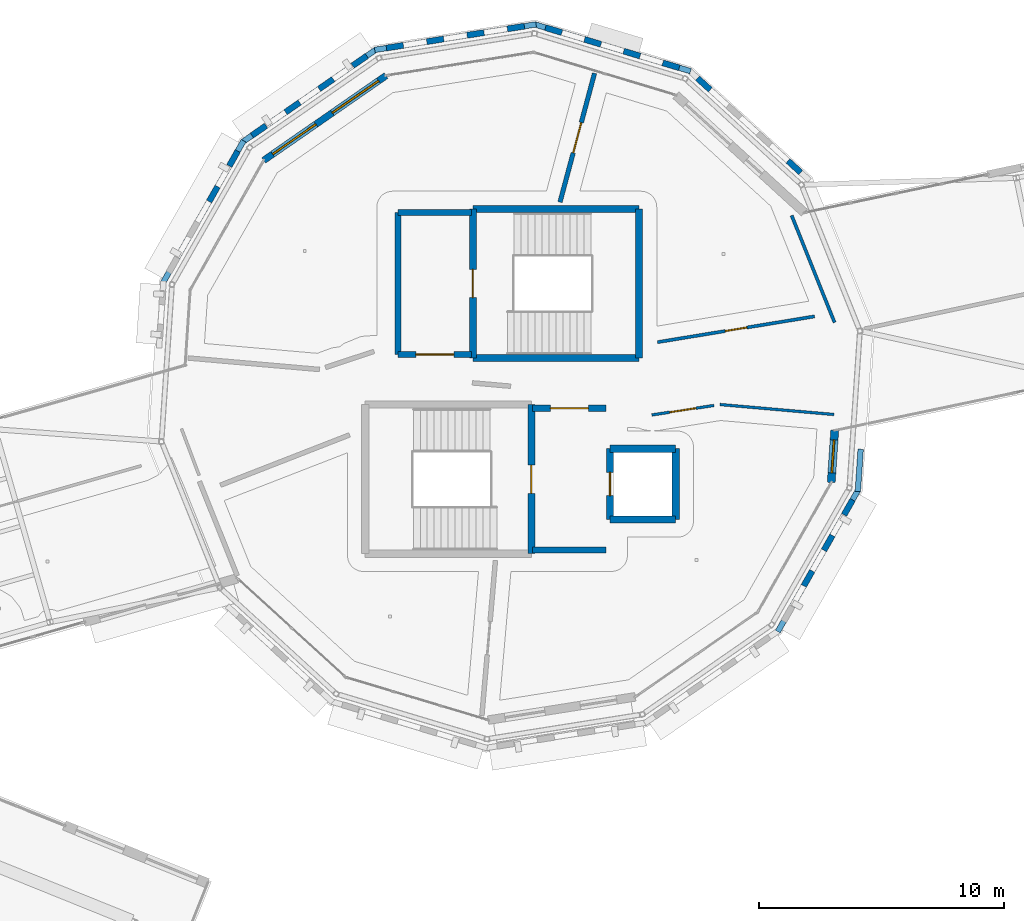
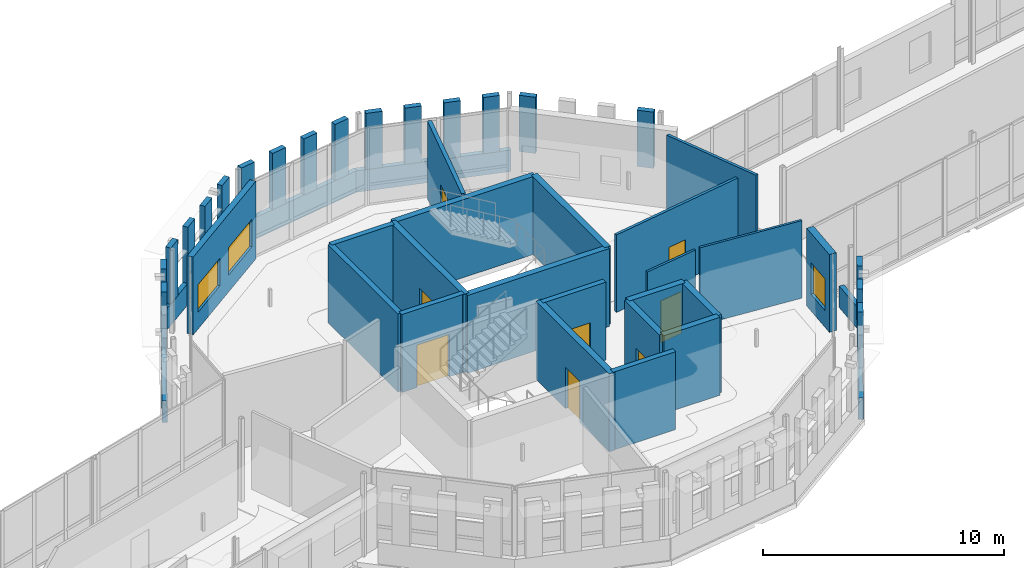
# One storey, part 96 of 125: 46 walls, 8 doors, 3 windows, 11 openings.
"""IFC4 building model written with IfcOpenShell, lengths in metres."""

import ifcopenshell
import ifcopenshell.guid

model = None  # the IFC model being written
_history = None  # IfcOwnerHistory: only IFC2X3 demands one
_inside = {}  # id of a spatial element -> (the spatial element, [elements in it])
_under = {}  # id of a project, library or spatial element -> (it, [spatial elements below it])
_declared = {}  # id of a project -> (the project, [libraries it declares])
_typed = {}  # id of a type object -> (the type object, [elements of that type])
_made_of = {}  # id of a material, layer set ... -> (it, [elements and type objects made of it])


def new_model(schema):
    """Start an empty IFC model of exactly this schema.

    Asked for "IFC4X3", IfcOpenShell would pick the latest addendum, in which some entities
    have other attributes; the version numbers below select the first issue.
    IFC2X3 requires an IfcOwnerHistory on every rooted entity: one is made here for all.
    """
    global model, _history
    if schema == "IFC4X3":
        model = ifcopenshell.file(schema_version=(4, 3, 0, 0))
    else:
        model = ifcopenshell.file(schema=schema)
    _inside.clear()
    _under.clear()
    _declared.clear()
    _typed.clear()
    _made_of.clear()
    _history = None
    if model.schema == "IFC2X3":
        org = make("IfcOrganization", Name="unknown")
        user = make(
            "IfcPersonAndOrganization",
            ThePerson=make("IfcPerson", FamilyName="unknown"),
            TheOrganization=org,
        )
        app = make(
            "IfcApplication",
            ApplicationDeveloper=org,
            Version="unknown",
            ApplicationFullName="unknown",
            ApplicationIdentifier="unknown",
        )
        _history = make(
            "IfcOwnerHistory",
            OwningUser=user,
            OwningApplication=app,
            ChangeAction="ADDED",
            CreationDate=0,
        )
    return model


def make(cls, **values):
    """One entity of the class cls with the attributes given. An attribute that is None is left unset."""
    return model.create_entity(
        cls, **{name: value for name, value in values.items() if value is not None}
    )


def rooted(cls, **values):
    """An entity with a GlobalId (a new one), such as an element, a storey or a relation."""
    return make(cls, GlobalId=ifcopenshell.guid.new(), OwnerHistory=_history, **values)


def si_unit(unit_type, name, prefix=None):
    """IfcSIUnit, for example si_unit("LENGTHUNIT", "METRE", prefix="MILLI")."""
    return make("IfcSIUnit", UnitType=unit_type, Prefix=prefix, Name=name)


def assignment(units):
    """IfcUnitAssignment: the units of a project."""
    return None if units is None else make("IfcUnitAssignment", Units=units)


def point(xyz):
    """IfcCartesianPoint."""
    return None if xyz is None else make("IfcCartesianPoint", Coordinates=xyz)


def direction(xyz):
    """IfcDirection."""
    return None if xyz is None else make("IfcDirection", DirectionRatios=xyz)


def frame(location, z_axis=None, x_axis=None):
    """IfcAxis2Placement3D, a coordinate frame: its origin and axes. An axis left out is left unset."""
    return make(
        "IfcAxis2Placement3D",
        Location=point(location),
        Axis=direction(z_axis),
        RefDirection=direction(x_axis),
    )


def frame_2d(location, x_axis=None):
    """IfcAxis2Placement2D, a coordinate frame in the plane: its origin and x axis."""
    return make(
        "IfcAxis2Placement2D", Location=point(location), RefDirection=direction(x_axis)
    )


def origin():
    """The frame at (0, 0, 0) with its axes left unset."""
    return frame((0.0, 0.0, 0.0))


def place(relative_to, where):
    """IfcLocalPlacement: puts the frame where relative to a parent placement (None: the world)."""
    return make(
        "IfcLocalPlacement", PlacementRelTo=relative_to, RelativePlacement=where
    )


def context(
    kind, dimensions, precision=None, world=None, true_north=None, identifier=None
):
    """IfcGeometricRepresentationContext, for example the 3D "Model" context."""
    return make(
        "IfcGeometricRepresentationContext",
        ContextIdentifier=identifier,
        ContextType=kind,
        CoordinateSpaceDimension=dimensions,
        Precision=precision,
        WorldCoordinateSystem=world,
        TrueNorth=true_north,
    )


def subcontext(parent, identifier, kind, view, scale=None):
    """IfcGeometricRepresentationSubContext, for example "Body" below "Model"."""
    return make(
        "IfcGeometricRepresentationSubContext",
        ContextIdentifier=identifier,
        ContextType=kind,
        ParentContext=parent,
        TargetScale=scale,
        TargetView=view,
    )


def project(units=None, contexts=None):
    """IfcProject with its units and contexts."""
    return rooted(
        "IfcProject",
        Name="project",
        RepresentationContexts=contexts,
        UnitsInContext=assignment(units),
    )


def spatial(cls, under=None, at=None, **own):
    """A site, building, storey or space (cls), placed at a placement, below another one or the project."""
    s = rooted(cls, ObjectPlacement=at, **own)
    if under is not None:
        _under.setdefault(under.id(), (under, []))[1].append(s)
    return s


def profile(cls, at=None, kind="AREA", **sizes):
    """A parametric profile (cls). Its sizes go by their IFC names, for example OverallWidth=200.0."""
    return make(cls, ProfileType=kind, Position=at, **sizes)


def rectangle(**sizes):
    """IfcRectangleProfileDef."""
    return profile("IfcRectangleProfileDef", **sizes)


def extrude(swept, where, along, depth):
    """IfcExtrudedAreaSolid: the profile swept, set in the frame where, extruded along a direction by depth."""
    return make(
        "IfcExtrudedAreaSolid",
        SweptArea=swept,
        Position=where,
        ExtrudedDirection=direction(along),
        Depth=depth,
    )


def shape(context_of_items, identifier, shape_type, items):
    """IfcShapeRepresentation: the items that make up one representation, for example the "Body"."""
    return make(
        "IfcShapeRepresentation",
        ContextOfItems=context_of_items,
        RepresentationIdentifier=identifier,
        RepresentationType=shape_type,
        Items=items,
    )


def material(Name=None, Category=None):
    """IfcMaterial."""
    return make("IfcMaterial", Name=Name, Category=Category)


def layer(
    of_material, thickness, ventilated=None, Name=None, Category=None, Priority=None
):
    """IfcMaterialLayer: one layer of a wall or slab, of a material (None: an air gap)."""
    return make(
        "IfcMaterialLayer",
        Material=of_material,
        LayerThickness=thickness,
        IsVentilated=ventilated,
        Name=Name,
        Category=Category,
        Priority=Priority,
    )


def layer_set(layers, Name=None):
    """IfcMaterialLayerSet."""
    return make("IfcMaterialLayerSet", MaterialLayers=layers, LayerSetName=Name)


def made_of(thing, what):
    """Note that an element or type object is made of a material, layer set ...; save() writes the relation."""
    if what is not None:
        _made_of.setdefault(what.id(), (what, []))[1].append(thing)
    return thing


def type_object(cls, material=None, **own):
    """A type object (cls), such as IfcWallType, which elements share."""
    return made_of(rooted(cls, **own), material)


def element(
    cls,
    number,
    at=None,
    inside=None,
    cuts=None,
    type_object=None,
    material=None,
    context=None,
    identifier="Body",
    shape_type=None,
    held_by="IfcProductDefinitionShape",
    body=None,
    shapes=None,
    **own,
):
    """One element of the class cls, such as IfcWall. Its Tag is "e" and its number.

    at: its placement. inside: the storey or other place that contains it. cuts: it is an
    opening in that element (IfcRelVoidsElement). A single representation is given by context,
    identifier, shape_type and body (its items); several are given by shapes. held_by: the class
    of the entity that holds the representations. save() writes the other relations.
    """
    e = rooted(cls, Tag="e%d" % number, ObjectPlacement=at, **own)
    if body is not None:
        shapes = [shape(context, identifier, shape_type, body)]
    if shapes is not None:
        e.Representation = make(held_by, Representations=shapes)
    if inside is not None:
        _inside.setdefault(inside.id(), (inside, []))[1].append(e)
    if cuts is not None:
        rooted(
            "IfcRelVoidsElement", RelatingBuildingElement=cuts, RelatedOpeningElement=e
        )
    if type_object is not None:
        _typed.setdefault(type_object.id(), (type_object, []))[1].append(e)
    return made_of(e, material)


def fill(opening, filler):
    """IfcRelFillsElement: the door or window that sits in an opening."""
    return rooted(
        "IfcRelFillsElement",
        RelatingOpeningElement=opening,
        RelatedBuildingElement=filler,
    )


def aggregate(whole, parts):
    """IfcRelAggregates: a whole, such as a stair, and the parts it consists of."""
    return rooted("IfcRelAggregates", RelatingObject=whole, RelatedObjects=parts)


def save(model, path):
    """Write the relations noted so far, then the file.

    IfcRelAggregates (storeys below a building ...), IfcRelContainedInSpatialStructure (elements
    in a storey), IfcRelDefinesByType, IfcRelAssociatesMaterial and IfcRelDeclares: one each for
    every whole, place, type object, material and project.
    """
    for whole, parts in _under.values():
        aggregate(whole, parts)
    for where, things in _inside.values():
        rooted(
            "IfcRelContainedInSpatialStructure",
            RelatedElements=things,
            RelatingStructure=where,
        )
    for kind, things in _typed.values():
        rooted("IfcRelDefinesByType", RelatedObjects=things, RelatingType=kind)
    for what, things in _made_of.values():
        rooted("IfcRelAssociatesMaterial", RelatedObjects=things, RelatingMaterial=what)
    for by, libraries in _declared.values():
        rooted("IfcRelDeclares", RelatingContext=by, RelatedDefinitions=libraries)
    model.write(path)


model = new_model("IFC4")

# Units and contexts
model_context = context("Model", 3, precision=1e-05, world=origin(), true_north=direction((0.0, 1.0)))
body_context = subcontext(model_context, "Body", "Model", "MODEL_VIEW")
ifc_project = project(units=[si_unit("LENGTHUNIT", "METRE"), si_unit("AREAUNIT", "SQUARE_METRE"), si_unit("VOLUMEUNIT", "CUBIC_METRE"), si_unit("PLANEANGLEUNIT", "RADIAN"), si_unit("MASSUNIT", "GRAM", prefix="KILO")], contexts=[model_context])

# Site, building, storey
site_placement = place(None, origin())
site = spatial("IfcSite", under=ifc_project, at=site_placement, CompositionType="ELEMENT")
building_placement = place(site_placement, origin())
building = spatial("IfcBuilding", under=site, at=building_placement, Name="Wrenclough Park School", CompositionType="ELEMENT")
storey_placement = place(building_placement, frame((0.0, 0.0, 4.199951171875)))
storey = spatial("IfcBuildingStorey", under=building, at=storey_placement, Name="L01", CompositionType="ELEMENT", Elevation=4.199951171875)

# Walls
ifc_material_1 = material(Name="Perforated open-bond Staffordshire and Manchester brick screen pier", Category="masonry")
ifc_layer_1 = layer(ifc_material_1, 0.2451171875)
ifc_layer_set_1 = layer_set([ifc_layer_1], Name="Perforated open-bond Staffordshire and Manchester brick screen pier")
wall_type_1 = type_object("IfcWallType", Name="ENV-BS-PR245", PredefinedType="ELEMENTEDWALL", material=ifc_layer_set_1)
for number, where, z_axis, x_axis, name in (
    (1, (94.851318359375, 117.23583984375, 1.090087890625), (0.0, 0.0, 1.0), (-0.738093238047, 0.674698726803, 0.0), "D4 L01 perforated brick screen pier 0309"),
    (2, (91.15576171875, 120.61376953125, 1.090087890625), (0.0, 0.0, 1.0), (-0.738093238047, 0.674698726803, 0.0), "D4 L01 perforated brick screen pier 0312"),
    (3, (89.88720703125, 121.512939453125, 1.090087890625), (0.0, 0.0, 1.0), (-0.957730379015, 0.287667379297, 0.0), "D4 L01 perforated brick screen pier 0313"),
    (4, (88.288818359375, 121.992919921875, 1.090087890625), (0.0, 0.0, 1.0), (-0.957730379015, 0.287667379297, 0.0), "D4 L01 perforated brick screen pier 0314"),
    (5, (86.6904296875, 122.472900390625, 1.090087890625), (0.0, 0.0, 1.0), (-0.957826285221, 0.287347885566, 0.0), "D4 L01 perforated brick screen pier 0315"),
    (6, (85.092041015625, 122.952880859375, 1.090087890625), (0.0, 0.0, 1.0), (-0.957826285221, 0.287347885566, 0.0), "D4 L01 perforated brick screen pier 0316"),
    (7, (83.55908203125, 123.21240234375, 1.090087890625), (0.0, 0.0, 1.0), (-0.987697931756, -0.156373896812, 0.0), "D4 L01 perforated brick screen pier 0317"),
    (8, (81.910888671875, 122.951416015625, 1.090087890625), (0.0, 0.0, 1.0), (-0.987697931756, -0.156373896812, 0.0), "D4 L01 perforated brick screen pier 0318"),
    (9, (80.262451171875, 122.690185546875, 1.090087890625), (0.0, 0.0, 1.0), (-0.987751666832, -0.156034113801, 0.0), "D4 L01 perforated brick screen pier 0319"),
    (10, (78.6142578125, 122.42919921875, 1.090087890625), (0.0, 0.0, 1.0), (-0.987697931756, -0.156373896812, 0.0), "D4 L01 perforated brick screen pier 0320"),
    (11, (77.120361328125, 121.998046875, 1.090087890625), (0.0, 0.0, 1.0), (-0.822004061083, -0.569481627064, 0.0), "D4 L01 perforated brick screen pier 0321"),
    (12, (75.748291015625, 121.047607421875, 1.090087890625), (0.0, 0.0, 1.0), (-0.822004061083, -0.569481627064, 0.0), "D4 L01 perforated brick screen pier 0322"),
):
    element("IfcWall", number, at=place(storey_placement, frame(where, z_axis=z_axis, x_axis=x_axis)), inside=storey, type_object=wall_type_1, Name=name, PredefinedType="ELEMENTEDWALL", context=body_context, shape_type="SweptSolid", body=[
        extrude(rectangle(XDim=0.700927734375, YDim=0.2451171875, at=frame_2d((0.3505859375, 0.0))), origin(), (0.0, 0.0, 1.0), 2.849853515625),
    ])
wall_1_placement = place(storey_placement, frame((74.376708984375, 120.097412109375, 1.090087890625), z_axis=(0.0, 0.0, 1.0), x_axis=(-0.821953993254, -0.569553889438, 0.0)))
element("IfcWall", 13, at=wall_1_placement, inside=storey, type_object=wall_type_1, Name="D4 L01 perforated brick screen pier 0323", PredefinedType="ELEMENTEDWALL", context=body_context, shape_type="SweptSolid", body=[
    extrude(rectangle(XDim=0.701171875, YDim=0.2451171875, at=frame_2d((0.3505859375, 0.0))), origin(), (0.0, 0.0, 1.0), 2.849853515625),
])
for number, where, z_axis, x_axis, name in (
    (14, (73.004638671875, 119.14697265625, 1.090087890625), (0.0, 0.0, 1.0), (-0.822004061083, -0.569481627064, 0.0), "D4 L01 perforated brick screen pier 0324"),
    (15, (71.845947265625, 118.1103515625, 1.090087890625), (0.0, 0.0, 1.0), (-0.493548557981, -0.869718242257, 0.0), "D4 L01 perforated brick screen pier 0325"),
    (16, (71.022216796875, 116.658935546875, 1.090087890625), (0.0, 0.0, 1.0), (-0.49328502852, -0.869867737439, 0.0), "D4 L01 perforated brick screen pier 0326"),
    (17, (94.977783203125, 100.341064453125, 1.090087890625), (0.0, 0.0, 1.0), (0.49328502852, 0.869867737439, 0.0), "D4 L01 perforated brick screen pier 0347"),
    (18, (95.80126953125, 101.792724609375, 1.090087890625), (0.0, 0.0, 1.0), (0.493548557981, 0.869718242257, 0.0), "D4 L01 perforated brick screen pier 0348"),
):
    element("IfcWall", number, at=place(storey_placement, frame(where, z_axis=z_axis, x_axis=x_axis)), inside=storey, type_object=wall_type_1, Name=name, PredefinedType="ELEMENTEDWALL", context=body_context, shape_type="SweptSolid", body=[
        extrude(rectangle(XDim=0.700927734375, YDim=0.2451171875, at=frame_2d((0.3505859375, 0.0))), origin(), (0.0, 0.0, 1.0), 2.849853515625),
    ])
wall_2_placement = place(storey_placement, frame((96.625, 103.244140625, 1.090087890625), z_axis=(0.0, 0.0, 1.0), x_axis=(0.49339908657, 0.869803047461, 0.0)))
element("IfcWall", 19, at=wall_2_placement, inside=storey, type_object=wall_type_1, Name="D4 L01 perforated brick screen pier 0349", PredefinedType="ELEMENTEDWALL", context=body_context, shape_type="SweptSolid", body=[
    extrude(rectangle(XDim=0.701171875, YDim=0.2451171875, at=frame_2d((0.3505859375, 0.0))), origin(), (0.0, 0.0, 1.0), 2.849853515625),
])
ifc_material_2 = material(Name="Open-bond Manchester multi-stock brick spandrel screen", Category="masonry")
ifc_layer_2 = layer(ifc_material_2, 0.22509765625)
ifc_layer_set_2 = layer_set([ifc_layer_2], Name="Open-bond Manchester multi-stock brick spandrel screen")
wall_type_2 = type_object("IfcWallType", Name="ENV-BS-SP225", PredefinedType="ELEMENTEDWALL", material=ifc_layer_set_2)
for number, where, z_axis, x_axis, name in (
    (20, (90.350830078125, 121.373779296875, 0.0), (0.0, 0.0, 1.0), (-0.957749751871, 0.287602873404, 0.0), "D4 L01 open-bond brick screen spandrel 0085"),
    (21, (84.037109375, 123.2880859375, 0.0), (0.0, 0.0, 1.0), (-0.987690206406, -0.156422684322, 0.0), "D4 L01 open-bond brick screen spandrel 0086"),
    (22, (77.51806640625, 122.273681640625, 0.0), (0.0, 0.0, 1.0), (-0.822009139105, -0.56947429725, 0.0), "D4 L01 open-bond brick screen spandrel 0087"),
):
    element("IfcWall", number, at=place(storey_placement, frame(where, z_axis=z_axis, x_axis=x_axis)), inside=storey, type_object=wall_type_2, Name=name, PredefinedType="ELEMENTEDWALL", context=body_context, shape_type="SweptSolid", body=[
        extrude(rectangle(XDim=6.675537109375, YDim=0.22509765625, at=frame_2d((3.337890625, 0.0))), origin(), (0.0, 0.0, 1.0), 1.090087890625),
    ])
for number, where, z_axis, x_axis, name in (
    (23, (72.084716796875, 118.53125, 0.0), (0.0, 0.0, 1.0), (-0.493497861667, -0.869747009498, 0.0), "D4 L01 open-bond brick screen spandrel 0088"),
    (24, (93.915283203125, 98.46875, 0.0), (0.0, 0.0, 1.0), (0.493497861667, 0.869747009498, 0.0), "D4 L01 open-bond brick screen spandrel 0094"),
):
    element("IfcWall", number, at=place(storey_placement, frame(where, z_axis=z_axis, x_axis=x_axis)), inside=storey, type_object=wall_type_2, Name=name, PredefinedType="ELEMENTEDWALL", context=body_context, shape_type="SweptSolid", body=[
        extrude(rectangle(XDim=6.67578125, YDim=0.22509765625, at=frame_2d((3.337890625, 0.0))), origin(), (0.0, 0.0, 1.0), 1.090087890625),
    ])
wall_3_placement = place(storey_placement, frame((97.186767578125, 104.197998046875, 0.0), z_axis=(0.0, 0.0, 1.0), x_axis=(0.067258320943, 0.997735595368, 0.0)))
element("IfcWall", 25, at=wall_3_placement, inside=storey, type_object=wall_type_2, Name="D4 L01 open-bond brick screen spandrel 0095", PredefinedType="ELEMENTEDWALL", context=body_context, shape_type="SweptSolid", body=[
    extrude(rectangle(XDim=1.7314453125, YDim=0.22509765625, at=frame_2d((0.86572265625, 0.0))), origin(), (0.0, 0.0, 1.0), 1.090087890625),
])

# Wall, openings, windows
ifc_material_3 = material(Name="Link wing brick-faced cavity wall Concrete C32/40", Category="masonry")
ifc_layer_3 = layer(ifc_material_3, 0.27490234375)
ifc_layer_set_3 = layer_set([ifc_layer_3], Name="Link wing brick-faced cavity wall Concrete C32/40")
wall_type_3 = type_object("IfcWallType", Name="ENV-EW-275", PredefinedType="SOLIDWALL", material=ifc_layer_set_3)
wall_4_placement = place(storey_placement, frame((72.90478515625, 117.7275390625, 0.0), z_axis=(0.0, 0.0, 1.0), x_axis=(0.821994314634, 0.569495695075, 0.0)))
wall_4 = element("IfcWall", 26, at=wall_4_placement, inside=storey, type_object=wall_type_3, Name="L01 insulated brick external wall 0086", PredefinedType="SOLIDWALL", context=body_context, shape_type="SweptSolid", body=[
    extrude(rectangle(XDim=6.086669921875, YDim=0.27490234375, at=frame_2d((3.04345703125, 0.0))), origin(), (0.0, 0.0, 1.0), 3.93994140625),
])
opening_1_placement = place(wall_4_placement, frame((0.446533203125, 0.0, 0.85009765625)))
opening_1 = element("IfcOpeningElement", 27, at=opening_1_placement, cuts=wall_4, Name="Opening WN-10", PredefinedType="OPENING", context=body_context, shape_type="SweptSolid", body=[
    extrude(rectangle(XDim=2.14990234375, YDim=1.39990234375, at=frame_2d((1.074951171875, 0.699951171875))), frame((0.0, 0.1474609375, 0.0), z_axis=(0.0, -1.0, 0.0), x_axis=(1.0, 0.0, 0.0)), (0.0, 0.0, 1.0), 0.294921875),
])
opening_2_placement = place(wall_4_placement, frame((3.414794921875, 0.0, 0.85009765625)))
opening_2 = element("IfcOpeningElement", 28, at=opening_2_placement, cuts=wall_4, Name="Opening WN-11", PredefinedType="OPENING", context=body_context, shape_type="SweptSolid", body=[
    extrude(rectangle(XDim=2.300048828125, YDim=1.39990234375, at=frame_2d((1.14990234375, 0.699951171875))), frame((0.0, 0.1474609375, 0.0), z_axis=(0.0, -1.0, 0.0), x_axis=(1.0, 0.0, 0.0)), (0.0, 0.0, 1.0), 0.294921875),
])
ifc_material_4 = material(Name="Thermally broken aluminium and double-glazed low-e glass", Category="aluminium")
window_type_1 = type_object("IfcWindowType", Name="ENV-WN-10", PartitioningType="DOUBLE_PANEL_VERTICAL", PredefinedType="WINDOW", material=ifc_material_4)
window_1_placement = place(opening_1_placement, origin())
window_1 = element("IfcWindow", 29, at=window_1_placement, inside=storey, type_object=window_type_1, Name="L01 scheduled facade window 0121", OverallHeight=1.39990234375, OverallWidth=2.14990234375, PartitioningType="SINGLE_PANEL", PredefinedType="WINDOW", context=body_context, shape_type="SweptSolid", body=[
    extrude(rectangle(XDim=2.14990234375, YDim=1.39990234375, at=frame_2d((1.074951171875, 0.699951171875))), frame((0.0, 0.030029296875, 0.0), z_axis=(0.0, -1.0, 0.0), x_axis=(1.0, 0.0, 0.0)), (0.0, 0.0, 1.0), 0.06005859375),
])
fill(opening_1, window_1)
window_type_2 = type_object("IfcWindowType", Name="ENV-WN-11", PartitioningType="DOUBLE_PANEL_VERTICAL", PredefinedType="WINDOW", material=ifc_material_4)
window_2_placement = place(opening_2_placement, origin())
window_2 = element("IfcWindow", 30, at=window_2_placement, inside=storey, type_object=window_type_2, Name="L01 scheduled facade window 0122", OverallHeight=1.39990234375, OverallWidth=2.300048828125, PartitioningType="SINGLE_PANEL", PredefinedType="WINDOW", context=body_context, shape_type="SweptSolid", body=[
    extrude(rectangle(XDim=2.300048828125, YDim=1.39990234375, at=frame_2d((1.14990234375, 0.699951171875))), frame((0.0, 0.030029296875, 0.0), z_axis=(0.0, -1.0, 0.0), x_axis=(1.0, 0.0, 0.0)), (0.0, 0.0, 1.0), 0.06005859375),
])
fill(opening_2, window_2)

# Wall, opening, window
ifc_material_5 = material(Name="Manchester multi-stock brick and Concrete C32/40 inner leaf", Category="masonry")
ifc_layer_4 = layer(ifc_material_5, 0.324951171875)
ifc_layer_set_4 = layer_set([ifc_layer_4], Name="Manchester multi-stock brick and Concrete C32/40 inner leaf")
wall_type_4 = type_object("IfcWallType", Name="ENV-EW-325", PredefinedType="SOLIDWALL", material=ifc_layer_set_4)
wall_5_placement = place(storey_placement, frame((96.24267578125, 106.694580078125, 0.0), z_axis=(0.0, 0.0, 1.0), x_axis=(-0.067309145793, -0.997732167915, 0.0)))
wall_5 = element("IfcWall", 31, at=wall_5_placement, inside=storey, type_object=wall_type_4, Name="L01 insulated brick external wall 0121", PredefinedType="SOLIDWALL", context=body_context, shape_type="SweptSolid", body=[
    extrude(rectangle(XDim=2.1328125, YDim=0.324951171875, at=frame_2d((1.06640625, 0.0))), origin(), (0.0, 0.0, 1.0), 3.93994140625),
])
opening_3_placement = place(wall_5_placement, frame((0.391357421875, 0.0, 0.85009765625)))
opening_3 = element("IfcOpeningElement", 32, at=opening_3_placement, cuts=wall_5, Name="Opening WN-16", PredefinedType="OPENING", context=body_context, shape_type="SweptSolid", body=[
    extrude(rectangle(XDim=1.35009765625, YDim=1.60009765625, at=frame_2d((0.675048828125, 0.800048828125))), frame((0.0, 0.17236328125, 0.0), z_axis=(0.0, -1.0, 0.0), x_axis=(1.0, 0.0, 0.0)), (0.0, 0.0, 1.0), 0.344970703125),
])
window_type_3 = type_object("IfcWindowType", Name="ENV-WN-16", PartitioningType="SINGLE_PANEL", PredefinedType="WINDOW", material=ifc_material_4)
window_3_placement = place(opening_3_placement, origin())
window_3 = element("IfcWindow", 33, at=window_3_placement, inside=storey, type_object=window_type_3, Name="L01 scheduled facade window 0183", OverallHeight=1.60009765625, OverallWidth=1.35009765625, PartitioningType="SINGLE_PANEL", PredefinedType="WINDOW", context=body_context, shape_type="SweptSolid", body=[
    extrude(rectangle(XDim=1.35009765625, YDim=1.60009765625, at=frame_2d((0.675048828125, 0.800048828125))), frame((0.0, 0.030029296875, 0.0), z_axis=(0.0, -1.0, 0.0), x_axis=(1.0, 0.0, 0.0)), (0.0, 0.0, 1.0), 0.06005859375),
])
fill(opening_3, window_3)

# Wall
ifc_material_6 = material(Name="Concrete C35/45", Category="concrete")
ifc_layer_5 = layer(ifc_material_6, 0.25)
ifc_layer_set_5 = layer_set([ifc_layer_5], Name="Concrete C35/45")
wall_type_5 = type_object("IfcWallType", Name="INT-CW-250", PredefinedType="SHEAR", material=ifc_layer_set_5)
wall_6_placement = place(storey_placement, frame((83.89990234375, 101.800048828125, 0.0), z_axis=(0.0, 0.0, 1.0), x_axis=(1.0, 0.0, 0.0)))
element("IfcWall", 34, at=wall_6_placement, inside=storey, type_object=wall_type_5, Name="Core C4 L01 lobby fire wall south", PredefinedType="SHEAR", context=body_context, shape_type="SweptSolid", body=[
    extrude(rectangle(XDim=3.0, YDim=0.25, at=frame_2d((1.5, 0.0))), origin(), (0.0, 0.0, 1.0), 3.949951171875),
])

# Wall, opening, door
wall_7_placement = place(storey_placement, frame((86.89990234375, 107.60009765625, 0.0), z_axis=(0.0, 0.0, 1.0), x_axis=(-1.0, 0.0, 0.0)))
wall_7 = element("IfcWall", 35, at=wall_7_placement, inside=storey, type_object=wall_type_5, Name="Core C4 L01 lobby fire wall north", PredefinedType="SHEAR", context=body_context, shape_type="SweptSolid", body=[
    extrude(rectangle(XDim=3.0, YDim=0.25, at=frame_2d((1.5, 0.0))), origin(), (0.0, 0.0, 1.0), 3.949951171875),
])
opening_4_placement = place(wall_7_placement, frame((0.72509765625, 0.0, 0.0)))
opening_4 = element("IfcOpeningElement", 36, at=opening_4_placement, cuts=wall_7, Name="Opening DLB-C4-L01", PredefinedType="OPENING", context=body_context, shape_type="SweptSolid", body=[
    extrude(rectangle(XDim=1.550048828125, YDim=2.14990234375, at=frame_2d((0.77490234375, 1.074951171875))), frame((0.0, 0.135009765625, 0.0), z_axis=(0.0, -1.0, 0.0), x_axis=(1.0, 0.0, 0.0)), (0.0, 0.0, 1.0), 0.27001953125),
])
ifc_material_7 = material(Name="Protected stair lobby double fire door assembly", Category="wood")
door_type_1 = type_object("IfcDoorType", Name="INT-DR-LB155", OperationType="NOTDEFINED", PredefinedType="DOOR", material=ifc_material_7)
door_1_placement = place(opening_4_placement, origin())
door_1 = element("IfcDoor", 37, at=door_1_placement, inside=storey, type_object=door_type_1, Name="Core C4 L01 protected lobby fire door", OperationType="DOUBLE_DOOR_SINGLE_SWING", OverallHeight=2.14990234375, OverallWidth=1.550048828125, PredefinedType="DOOR", context=body_context, shape_type="SweptSolid", body=[
    extrude(rectangle(XDim=1.550048828125, YDim=2.14990234375, at=frame_2d((0.77490234375, 1.074951171875))), frame((0.0, 0.02490234375, 0.0), z_axis=(0.0, -1.0, 0.0), x_axis=(1.0, 0.0, 0.0)), (0.0, 0.0, 1.0), 0.050048828125),
])
fill(opening_4, door_1)

wall_8_placement = place(storey_placement, frame((78.39990234375, 109.800048828125, 0.0), z_axis=(0.0, 0.0, 1.0), x_axis=(1.0, 0.0, 0.0)))
wall_8 = element("IfcWall", 38, at=wall_8_placement, inside=storey, type_object=wall_type_5, Name="Core C4B L01 lobby fire wall south", PredefinedType="SHEAR", context=body_context, shape_type="SweptSolid", body=[
    extrude(rectangle(XDim=3.0, YDim=0.25, at=frame_2d((1.5, 0.0))), origin(), (0.0, 0.0, 1.0), 3.949951171875),
])
opening_5_placement = place(wall_8_placement, frame((0.72509765625, 0.0, 0.0)))
opening_5 = element("IfcOpeningElement", 39, at=opening_5_placement, cuts=wall_8, Name="Opening DLB-C4B-L01", PredefinedType="OPENING", context=body_context, shape_type="SweptSolid", body=[
    extrude(rectangle(XDim=1.550048828125, YDim=2.14990234375, at=frame_2d((0.77490234375, 1.074951171875))), frame((0.0, 0.135009765625, 0.0), z_axis=(0.0, -1.0, 0.0), x_axis=(1.0, 0.0, 0.0)), (0.0, 0.0, 1.0), 0.27001953125),
])
door_2_placement = place(opening_5_placement, origin())
door_2 = element("IfcDoor", 40, at=door_2_placement, inside=storey, type_object=door_type_1, Name="Core C4B L01 protected lobby fire door", OperationType="DOUBLE_DOOR_SINGLE_SWING", OverallHeight=2.14990234375, OverallWidth=1.550048828125, PredefinedType="DOOR", context=body_context, shape_type="SweptSolid", body=[
    extrude(rectangle(XDim=1.550048828125, YDim=2.14990234375, at=frame_2d((0.77490234375, 1.074951171875))), frame((0.0, 0.02490234375, 0.0), z_axis=(0.0, -1.0, 0.0), x_axis=(1.0, 0.0, 0.0)), (0.0, 0.0, 1.0), 0.050048828125),
])
fill(opening_5, door_2)

# Walls
wall_9_placement = place(storey_placement, frame((81.39990234375, 115.60009765625, 0.0), z_axis=(0.0, 0.0, 1.0), x_axis=(-1.0, 0.0, 0.0)))
element("IfcWall", 41, at=wall_9_placement, inside=storey, type_object=wall_type_5, Name="Core C4B L01 lobby fire wall north", PredefinedType="SHEAR", context=body_context, shape_type="SweptSolid", body=[
    extrude(rectangle(XDim=3.0, YDim=0.25, at=frame_2d((1.5, 0.0))), origin(), (0.0, 0.0, 1.0), 3.949951171875),
])
wall_10_placement = place(storey_placement, frame((78.39990234375, 115.60009765625, 0.0), z_axis=(0.0, 0.0, 1.0), x_axis=(0.0, -1.0, 0.0)))
element("IfcWall", 42, at=wall_10_placement, inside=storey, type_object=wall_type_5, Name="Core C4B L01 lobby fire wall west", PredefinedType="SHEAR", context=body_context, shape_type="SweptSolid", body=[
    extrude(rectangle(XDim=5.800048828125, YDim=0.25, at=frame_2d((2.89990234375, 0.0))), origin(), (0.0, 0.0, 1.0), 3.949951171875),
])

# Wall, opening, door
ifc_material_8 = material(Name="Concrete C40/50", Category="concrete")
ifc_layer_6 = layer(ifc_material_8, 0.2900390625)
ifc_layer_set_6 = layer_set([ifc_layer_6], Name="Concrete C40/50")
wall_type_6 = type_object("IfcWallType", Name="INT-CW-290", PredefinedType="SHEAR", material=ifc_layer_set_6)
wall_11_placement = place(storey_placement, frame((83.844970703125, 101.655029296875, 0.0), z_axis=(0.0, 0.0, 1.0), x_axis=(0.0, 1.0, 0.0)))
wall_11 = element("IfcWall", 43, at=wall_11_placement, inside=storey, type_object=wall_type_6, Name="Core C4 L01 east shear wall", PredefinedType="SHEAR", context=body_context, shape_type="SweptSolid", body=[
    extrude(rectangle(XDim=6.090087890625, YDim=0.2900390625, at=frame_2d((3.044921875, 0.0))), origin(), (0.0, 0.0, 1.0), 3.949951171875),
])
opening_6_placement = place(wall_11_placement, frame((2.469970703125, 0.0, 0.0)))
opening_6 = element("IfcOpeningElement", 44, at=opening_6_placement, cuts=wall_11, Name="Opening DST-C4-L01", PredefinedType="OPENING", context=body_context, shape_type="SweptSolid", body=[
    extrude(rectangle(XDim=1.14990234375, YDim=2.10009765625, at=frame_2d((0.574951171875, 1.050048828125))), frame((0.0, 0.155029296875, 0.0), z_axis=(0.0, -1.0, 0.0), x_axis=(1.0, 0.0, 0.0)), (0.0, 0.0, 1.0), 0.31005859375),
])
ifc_material_9 = material(Name="Protected escape stair single fire door assembly", Category="wood")
door_type_2 = type_object("IfcDoorType", Name="INT-DR-ST115", OperationType="NOTDEFINED", PredefinedType="DOOR", material=ifc_material_9)
door_3_placement = place(opening_6_placement, origin())
door_3 = element("IfcDoor", 45, at=door_3_placement, inside=storey, type_object=door_type_2, Name="Stair ST-04 L01 fire door", OperationType="SINGLE_SWING_RIGHT", OverallHeight=2.10009765625, OverallWidth=1.14990234375, PredefinedType="DOOR", context=body_context, shape_type="SweptSolid", body=[
    extrude(rectangle(XDim=1.14990234375, YDim=2.10009765625, at=frame_2d((0.574951171875, 1.050048828125))), frame((0.0, 0.02490234375, 0.0), z_axis=(0.0, -1.0, 0.0), x_axis=(1.0, 0.0, 0.0)), (0.0, 0.0, 1.0), 0.050048828125),
])
fill(opening_6, door_3)

# Walls
wall_12_placement = place(storey_placement, frame((87.054931640625, 103.054931640625, 0.0), z_axis=(0.0, 0.0, 1.0), x_axis=(1.0, 0.0, 0.0)))
element("IfcWall", 46, at=wall_12_placement, inside=storey, type_object=wall_type_6, Name="Lift LFT-06 L01 south shaft wall", PredefinedType="SHEAR", context=body_context, shape_type="SweptSolid", body=[
    extrude(rectangle(XDim=2.690185546875, YDim=0.2900390625, at=frame_2d((1.34521484375, 0.0))), origin(), (0.0, 0.0, 1.0), 3.949951171875),
])
wall_13_placement = place(storey_placement, frame((89.7451171875, 103.054931640625, 0.0), z_axis=(0.0, 0.0, 1.0), x_axis=(0.0, 1.0, 0.0)))
element("IfcWall", 47, at=wall_13_placement, inside=storey, type_object=wall_type_6, Name="Lift LFT-06 L01 east shaft wall", PredefinedType="SHEAR", context=body_context, shape_type="SweptSolid", body=[
    extrude(rectangle(XDim=2.89013671875, YDim=0.2900390625, at=frame_2d((1.445068359375, 0.0))), origin(), (0.0, 0.0, 1.0), 3.949951171875),
])
wall_14_placement = place(storey_placement, frame((89.7451171875, 105.945068359375, 0.0), z_axis=(0.0, 0.0, 1.0), x_axis=(-1.0, 0.0, 0.0)))
element("IfcWall", 48, at=wall_14_placement, inside=storey, type_object=wall_type_6, Name="Lift LFT-06 L01 north shaft wall", PredefinedType="SHEAR", context=body_context, shape_type="SweptSolid", body=[
    extrude(rectangle(XDim=2.690185546875, YDim=0.2900390625, at=frame_2d((1.34521484375, 0.0))), origin(), (0.0, 0.0, 1.0), 3.949951171875),
])

# Wall, opening, door
wall_15_placement = place(storey_placement, frame((87.054931640625, 105.945068359375, 0.0), z_axis=(0.0, 0.0, 1.0), x_axis=(0.0, -1.0, 0.0)))
wall_15 = element("IfcWall", 49, at=wall_15_placement, inside=storey, type_object=wall_type_6, Name="Lift LFT-06 L01 west shaft wall", PredefinedType="SHEAR", context=body_context, shape_type="SweptSolid", body=[
    extrude(rectangle(XDim=2.89013671875, YDim=0.2900390625, at=frame_2d((1.445068359375, 0.0))), origin(), (0.0, 0.0, 1.0), 3.949951171875),
])
opening_7_placement = place(wall_15_placement, frame((0.969970703125, 0.0, 0.0)))
opening_7 = element("IfcOpeningElement", 50, at=opening_7_placement, cuts=wall_15, Name="Opening LD-06-L01", PredefinedType="OPENING", context=body_context, shape_type="SweptSolid", body=[
    extrude(rectangle(XDim=0.949951171875, YDim=2.10009765625, at=frame_2d((0.47509765625, 1.050048828125))), frame((0.0, 0.155029296875, 0.0), z_axis=(0.0, -1.0, 0.0), x_axis=(1.0, 0.0, 0.0)), (0.0, 0.0, 1.0), 0.31005859375),
])
ifc_material_10 = material(Name="Brushed stainless steel", Category="steel")
door_type_3 = type_object("IfcDoorType", Name="INT-DR-LD095", OperationType="NOTDEFINED", PredefinedType="DOOR", material=ifc_material_10)
door_4_placement = place(opening_7_placement, frame((0.949951171875, 0.0, 0.0), z_axis=(0.0, 0.0, 1.0), x_axis=(-1.0, 0.0, 0.0)))
door_4 = element("IfcDoor", 51, at=door_4_placement, inside=storey, type_object=door_type_3, Name="Lift LFT-06 L01 sliding landing door", OperationType="SLIDING_TO_LEFT", OverallHeight=2.10009765625, OverallWidth=0.949951171875, PredefinedType="DOOR", context=body_context, shape_type="SweptSolid", body=[
    extrude(rectangle(XDim=0.949951171875, YDim=2.10009765625, at=frame_2d((0.47509765625, 1.050048828125))), frame((0.0, 0.02490234375, 0.0), z_axis=(0.0, -1.0, 0.0), x_axis=(1.0, 0.0, 0.0)), (0.0, 0.0, 1.0), 0.050048828125),
])
fill(opening_7, door_4)

# Walls
wall_16_placement = place(storey_placement, frame((81.455078125, 109.655029296875, 0.0), z_axis=(0.0, 0.0, 1.0), x_axis=(1.0, 0.0, 0.0)))
element("IfcWall", 52, at=wall_16_placement, inside=storey, type_object=wall_type_6, Name="Core C4B L01 south shear wall", PredefinedType="SHEAR", context=body_context, shape_type="SweptSolid", body=[
    extrude(rectangle(XDim=6.7900390625, YDim=0.2900390625, at=frame_2d((3.39501953125, 0.0))), origin(), (0.0, 0.0, 1.0), 3.949951171875),
])
wall_17_placement = place(storey_placement, frame((88.2451171875, 109.655029296875, 0.0), z_axis=(0.0, 0.0, 1.0), x_axis=(0.0, 1.0, 0.0)))
element("IfcWall", 53, at=wall_17_placement, inside=storey, type_object=wall_type_6, Name="Core C4B L01 east shear wall", PredefinedType="SHEAR", context=body_context, shape_type="SweptSolid", body=[
    extrude(rectangle(XDim=6.090087890625, YDim=0.2900390625, at=frame_2d((3.044921875, 0.0))), origin(), (0.0, 0.0, 1.0), 3.949951171875),
])
wall_18_placement = place(storey_placement, frame((88.2451171875, 115.7451171875, 0.0), z_axis=(0.0, 0.0, 1.0), x_axis=(-1.0, 0.0, 0.0)))
element("IfcWall", 54, at=wall_18_placement, inside=storey, type_object=wall_type_6, Name="Core C4B L01 north shear wall", PredefinedType="SHEAR", context=body_context, shape_type="SweptSolid", body=[
    extrude(rectangle(XDim=6.7900390625, YDim=0.2900390625, at=frame_2d((3.39501953125, 0.0))), origin(), (0.0, 0.0, 1.0), 3.949951171875),
])

# Wall, opening, door
wall_19_placement = place(storey_placement, frame((81.455078125, 115.7451171875, 0.0), z_axis=(0.0, 0.0, 1.0), x_axis=(0.0, -1.0, 0.0)))
wall_19 = element("IfcWall", 55, at=wall_19_placement, inside=storey, type_object=wall_type_6, Name="Core C4B L01 west shear wall", PredefinedType="SHEAR", context=body_context, shape_type="SweptSolid", body=[
    extrude(rectangle(XDim=6.090087890625, YDim=0.2900390625, at=frame_2d((3.044921875, 0.0))), origin(), (0.0, 0.0, 1.0), 3.949951171875),
])
opening_8_placement = place(wall_19_placement, frame((2.469970703125, 0.0, 0.0)))
opening_8 = element("IfcOpeningElement", 56, at=opening_8_placement, cuts=wall_19, Name="Opening DST-C4B-L01", PredefinedType="OPENING", context=body_context, shape_type="SweptSolid", body=[
    extrude(rectangle(XDim=1.14990234375, YDim=2.10009765625, at=frame_2d((0.574951171875, 1.050048828125))), frame((0.0, 0.155029296875, 0.0), z_axis=(0.0, -1.0, 0.0), x_axis=(1.0, 0.0, 0.0)), (0.0, 0.0, 1.0), 0.31005859375),
])
door_5_placement = place(opening_8_placement, origin())
door_5 = element("IfcDoor", 57, at=door_5_placement, inside=storey, type_object=door_type_2, Name="Stair ST-08 L01 fire door", OperationType="SINGLE_SWING_RIGHT", OverallHeight=2.10009765625, OverallWidth=1.14990234375, PredefinedType="DOOR", context=body_context, shape_type="SweptSolid", body=[
    extrude(rectangle(XDim=1.14990234375, YDim=2.10009765625, at=frame_2d((0.574951171875, 1.050048828125))), frame((0.0, 0.02490234375, 0.0), z_axis=(0.0, -1.0, 0.0), x_axis=(1.0, 0.0, 0.0)), (0.0, 0.0, 1.0), 0.050048828125),
])
fill(opening_8, door_5)

# Wall
ifc_material_11 = material(Name="Lightweight fire-rated store partition", Category="gypsum")
ifc_layer_7 = layer(ifc_material_11, 0.110107421875)
ifc_layer_set_7 = layer_set([ifc_layer_7], Name="Lightweight fire-rated store partition")
wall_type_7 = type_object("IfcWallType", Name="INT-PW-110", PredefinedType="PARTITIONING", material=ifc_layer_set_7)
wall_20_placement = place(storey_placement, frame((96.206298828125, 107.344482421875, 0.0), z_axis=(0.0, 0.0, 1.0), x_axis=(-0.996193377134, 0.087170840051, 0.0)))
element("IfcWall", 58, at=wall_20_placement, inside=storey, type_object=wall_type_7, Name="L01 internal partition 0256", PredefinedType="PARTITIONING", context=body_context, shape_type="SweptSolid", body=[
    extrude(rectangle(XDim=4.671630859375, YDim=0.110107421875, at=frame_2d((2.3359375, 0.0))), origin(), (0.0, 0.0, 1.0), 3.929931640625),
])

# Wall, opening, door
wall_21_placement = place(storey_placement, frame((91.305908203125, 107.7138671875, 0.0), z_axis=(0.0, 0.0, 1.0), x_axis=(-0.988481340726, -0.151342786539, 0.0)))
wall_21 = element("IfcWall", 59, at=wall_21_placement, inside=storey, type_object=wall_type_7, Name="L01 internal partition 0257", PredefinedType="PARTITIONING", context=body_context, shape_type="SweptSolid", body=[
    extrude(rectangle(XDim=2.568115234375, YDim=0.110107421875, at=frame_2d((1.2841796875, 0.0))), origin(), (0.0, 0.0, 1.0), 3.929931640625),
])
opening_9_placement = place(wall_21_placement, frame((0.744140625, 0.0, 0.0)))
opening_9 = element("IfcOpeningElement", 60, at=opening_9_placement, cuts=wall_21, Name="Opening DR-L01-045", PredefinedType="OPENING", context=body_context, shape_type="SweptSolid", body=[
    extrude(rectangle(XDim=1.080078125, YDim=2.1201171875, at=frame_2d((0.5400390625, 1.06005859375))), frame((0.0, 0.06494140625, 0.0), z_axis=(0.0, -1.0, 0.0), x_axis=(1.0, 0.0, 0.0)), (0.0, 0.0, 1.0), 0.130126953125),
])
ifc_material_12 = material(Name="Sixth-form seminar room door assembly", Category="wood")
door_type_4 = type_object("IfcDoorType", Name="INT-DR-CL108", OperationType="NOTDEFINED", PredefinedType="DOOR", material=ifc_material_12)
door_6_placement = place(opening_9_placement, origin())
door_6 = element("IfcDoor", 61, at=door_6_placement, inside=storey, type_object=door_type_4, Name="Geography Classroom 1 door DR-L01-045", OperationType="SINGLE_SWING_RIGHT", OverallHeight=2.1201171875, OverallWidth=1.080078125, PredefinedType="DOOR", context=body_context, shape_type="SweptSolid", body=[
    extrude(rectangle(XDim=1.080078125, YDim=2.1201171875, at=frame_2d((0.5400390625, 1.06005859375))), frame((0.0, 0.02490234375, 0.0), z_axis=(0.0, -1.0, 0.0), x_axis=(1.0, 0.0, 0.0)), (0.0, 0.0, 1.0), 0.050048828125),
])
fill(opening_9, door_6)

ifc_material_13 = material(Name="Standard fire-rated room partition", Category="gypsum")
ifc_layer_8 = layer(ifc_material_13, 0.1298828125)
ifc_layer_set_8 = layer_set([ifc_layer_8], Name="Standard fire-rated room partition")
wall_type_8 = type_object("IfcWallType", Name="INT-PW-130", PredefinedType="PARTITIONING", material=ifc_layer_set_8)
wall_22_placement = place(storey_placement, frame((89.001708984375, 110.30078125, 0.0), z_axis=(0.0, 0.0, 1.0), x_axis=(0.986819802975, 0.161822978763, 0.0)))
wall_22 = element("IfcWall", 62, at=wall_22_placement, inside=storey, type_object=wall_type_8, Name="L01 internal partition 0258", PredefinedType="PARTITIONING", context=body_context, shape_type="SweptSolid", body=[
    extrude(rectangle(XDim=6.50244140625, YDim=0.1298828125, at=frame_2d((3.251220703125, 0.0))), origin(), (0.0, 0.0, 1.0), 3.929931640625),
])
opening_10_placement = place(wall_22_placement, frame((2.80126953125, 0.0, 0.0)))
opening_10 = element("IfcOpeningElement", 63, at=opening_10_placement, cuts=wall_22, Name="Opening DR-L01-046", PredefinedType="OPENING", context=body_context, shape_type="SweptSolid", body=[
    extrude(rectangle(XDim=0.89990234375, YDim=2.050048828125, at=frame_2d((0.449951171875, 1.02490234375))), frame((0.0, 0.074951171875, 0.0), z_axis=(0.0, -1.0, 0.0), x_axis=(1.0, 0.0, 0.0)), (0.0, 0.0, 1.0), 0.14990234375),
])
ifc_material_14 = material(Name="Staff office fire-rated timber door assembly", Category="wood")
door_type_5 = type_object("IfcDoorType", Name="INT-DR-OFF090", OperationType="NOTDEFINED", PredefinedType="DOOR", material=ifc_material_14)
door_7_placement = place(opening_10_placement, origin())
door_7 = element("IfcDoor", 64, at=door_7_placement, inside=storey, type_object=door_type_5, Name="Pastoral Staff Office door DR-L01-046", OperationType="SINGLE_SWING_LEFT", OverallHeight=2.050048828125, OverallWidth=0.89990234375, PredefinedType="DOOR", context=body_context, shape_type="SweptSolid", body=[
    extrude(rectangle(XDim=0.89990234375, YDim=2.050048828125, at=frame_2d((0.449951171875, 1.02490234375))), frame((0.0, 0.02490234375, 0.0), z_axis=(0.0, -1.0, 0.0), x_axis=(1.0, 0.0, 0.0)), (0.0, 0.0, 1.0), 0.050048828125),
])
fill(opening_10, door_7)

# Wall
wall_23_placement = place(storey_placement, frame((96.235107421875, 111.1064453125, 0.0), z_axis=(0.0, 0.0, 1.0), x_axis=(-0.37231147683, 0.928107840835, 0.0)))
element("IfcWall", 65, at=wall_23_placement, inside=storey, type_object=wall_type_8, Name="L01 internal partition 0259", PredefinedType="PARTITIONING", context=body_context, shape_type="SweptSolid", body=[
    extrude(rectangle(XDim=4.70751953125, YDim=0.1298828125, at=frame_2d((2.353759765625, 0.0))), origin(), (0.0, 0.0, 1.0), 3.929931640625),
])

# Wall, opening, door
ifc_material_15 = material(Name="Laboratory fire and acoustic partition", Category="gypsum")
ifc_layer_9 = layer(ifc_material_15, 0.18505859375)
ifc_layer_set_9 = layer_set([ifc_layer_9], Name="Laboratory fire and acoustic partition")
wall_type_9 = type_object("IfcWallType", Name="INT-PW-185", PredefinedType="PARTITIONING", material=ifc_layer_set_9)
wall_24_placement = place(storey_placement, frame((85.015625, 116.0224609375, 0.0), z_axis=(0.0, 0.0, 1.0), x_axis=(0.25882188484, 0.965925065379, 0.0)))
wall_24 = element("IfcWall", 66, at=wall_24_placement, inside=storey, type_object=wall_type_9, Name="L01 internal partition 0250", PredefinedType="PARTITIONING", context=body_context, shape_type="SweptSolid", body=[
    extrude(rectangle(XDim=5.4521484375, YDim=0.18505859375, at=frame_2d((2.72607421875, 0.0))), origin(), (0.0, 0.0, 1.0), 3.929931640625),
])
opening_11_placement = place(wall_24_placement, frame((2.0859375, 0.0, 0.0)))
opening_11 = element("IfcOpeningElement", 67, at=opening_11_placement, cuts=wall_24, Name="Opening DR-L01-043", PredefinedType="OPENING", context=body_context, shape_type="SweptSolid", body=[
    extrude(rectangle(XDim=1.280029296875, YDim=2.139892578125, at=frame_2d((0.64013671875, 1.06982421875))), frame((0.0, 0.1025390625, 0.0), z_axis=(0.0, -1.0, 0.0), x_axis=(1.0, 0.0, 0.0)), (0.0, 0.0, 1.0), 0.205078125),
])
ifc_material_16 = material(Name="Junior science laboratory leaf-and-a-half door assembly", Category="wood")
door_type_6 = type_object("IfcDoorType", Name="INT-DR-LAB128", OperationType="NOTDEFINED", PredefinedType="DOOR", material=ifc_material_16)
door_8_placement = place(opening_11_placement, origin())
door_8 = element("IfcDoor", 68, at=door_8_placement, inside=storey, type_object=door_type_6, Name="Junior Science Laboratory 1 door DR-L01-043", OperationType="SINGLE_SWING_RIGHT", OverallHeight=2.139892578125, OverallWidth=1.280029296875, PredefinedType="DOOR", context=body_context, shape_type="SweptSolid", body=[
    extrude(rectangle(XDim=1.280029296875, YDim=2.139892578125, at=frame_2d((0.64013671875, 1.06982421875))), frame((0.0, 0.02490234375, 0.0), z_axis=(0.0, -1.0, 0.0), x_axis=(1.0, 0.0, 0.0)), (0.0, 0.0, 1.0), 0.050048828125),
])
fill(opening_11, door_8)

save(model, "model.ifc")
